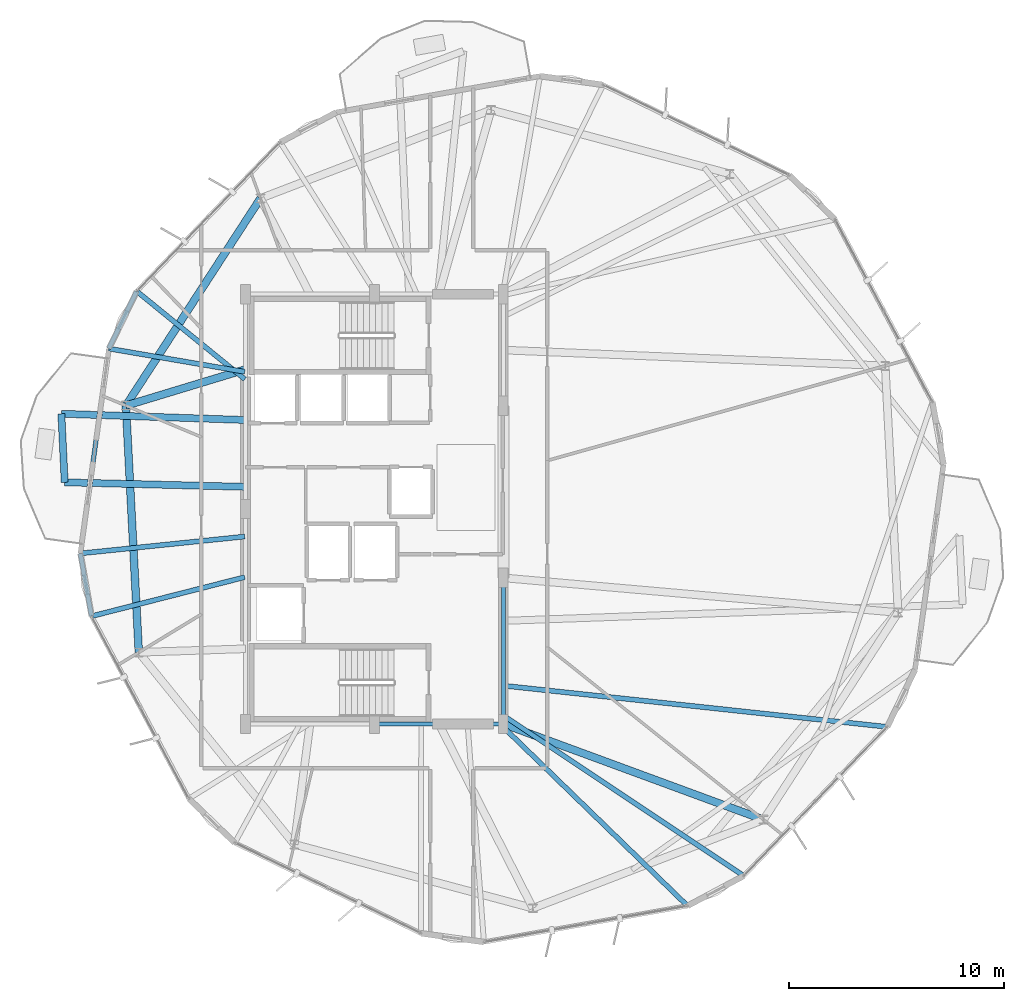
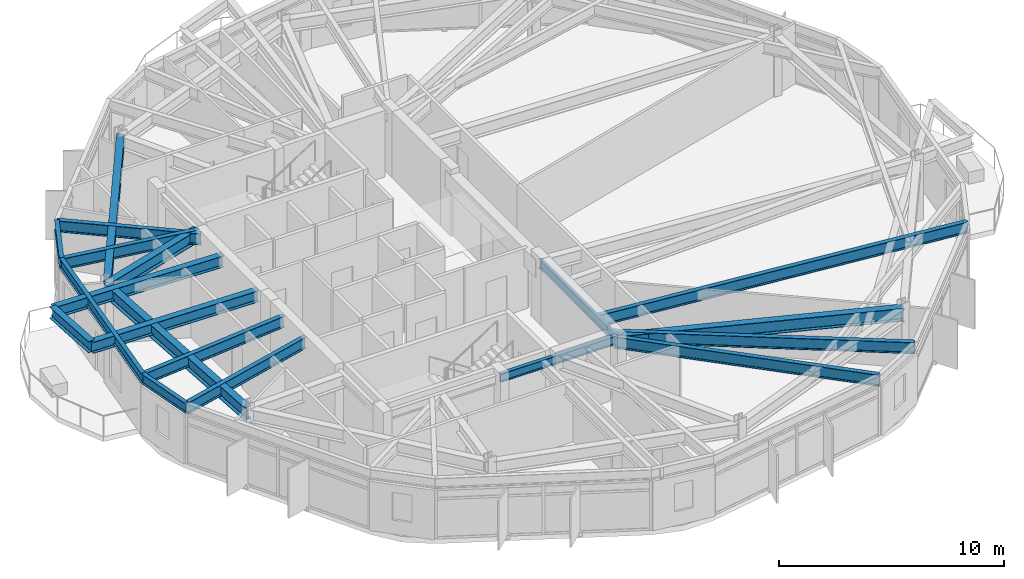
# One storey, part 8 of 28: 19 beams.
"""IFC4 building model written with IfcOpenShell, lengths in metres."""

from ifc_helpers import new_model, si_unit, direction, frame, origin, origin_2d, place, context, subcontext, project, spatial, i_section, extrude, material, material_profile, profile_set, type_object, element, save


model = new_model("IFC4")

# Units and contexts
model_context = context("Model", 3, precision=1e-05, world=origin(), true_north=direction((0.0, 1.0)))
body_context = subcontext(model_context, "Body", "Model", "MODEL_VIEW")
ifc_project = project(units=[si_unit("LENGTHUNIT", "METRE"), si_unit("AREAUNIT", "SQUARE_METRE"), si_unit("VOLUMEUNIT", "CUBIC_METRE"), si_unit("PLANEANGLEUNIT", "RADIAN"), si_unit("MASSUNIT", "GRAM", prefix="KILO")], contexts=[model_context])

# Site, building, storey
site_placement = place(None, origin())
site = spatial("IfcSite", under=ifc_project, at=site_placement, CompositionType="ELEMENT")
building_placement = place(site_placement, origin())
building = spatial("IfcBuilding", under=site, at=building_placement, Name="Soratama Intermodal Tower", CompositionType="ELEMENT")
storey_placement = place(building_placement, frame((0.0, 0.0, 205.0)))
storey = spatial("IfcBuildingStorey", under=building, at=storey_placement, Name="L51", CompositionType="ELEMENT", Elevation=205.0)

# Beams
ifc_material_1 = material(Name="Structural steel ASTM A992 Grade 50", Category="steel")
ifc_material_profile_1 = material_profile(ifc_material_1, i_section(OverallWidth=0.324951171875, OverallDepth=0.615966796875, WebThickness=0.013916015625, FlangeThickness=0.021484375, FilletRadius=0.013916015625, at=origin_2d()), Name="W24X117")
ifc_profile_set_1 = profile_set([ifc_material_profile_1], Name="Structural steel ASTM A992 Grade 50")
beam_type_1 = type_object("IfcBeamType", Name="BM-CANT-W24X117", PredefinedType="BEAM", material=ifc_profile_set_1)
beam_1_placement = place(storey_placement, frame((24.030029296875, 29.43505859375, 2.991943359375), z_axis=(0.049133455666, -0.998792222404, 0.0), x_axis=(0.998792222404, 0.049133455666, 0.0)))
element("IfcBeam", 1, at=beam_1_placement, inside=storey, type_object=beam_type_1, Name="BM-L51-CBHDR-3", PredefinedType="BEAM", context=body_context, shape_type="SweptSolid", body=[
    extrude(i_section(OverallWidth=0.324951171875, OverallDepth=0.615966796875, WebThickness=0.013916015625, FlangeThickness=0.021484375, FilletRadius=0.013916015625, at=origin_2d()), origin(), (0.0, 0.0, 1.0), 3.195068359375),
])
beam_2_placement = place(storey_placement, frame((32.56005859375, 29.14599609375, 2.991943359375), z_axis=(-0.999426308235, 0.033868191676, 0.0), x_axis=(-0.033868191676, -0.999426308235, 0.0)))
element("IfcBeam", 2, at=beam_2_placement, inside=storey, type_object=beam_type_1, Name="BM-L51-CANT-3-1", PredefinedType="BEAM", context=body_context, shape_type="SweptSolid", body=[
    extrude(i_section(OverallWidth=0.324951171875, OverallDepth=0.615966796875, WebThickness=0.013916015625, FlangeThickness=0.021484375, FilletRadius=0.013916015625, at=origin_2d()), origin(), (0.0, 0.0, 1.0), 8.534912109375),
])
beam_3_placement = place(storey_placement, frame((32.56005859375, 26.035888671875, 2.991943359375), z_axis=(-0.999691566679, 0.024834884966, 0.0), x_axis=(-0.024834884966, -0.999691566679, 0.0)))
element("IfcBeam", 3, at=beam_3_placement, inside=storey, type_object=beam_type_1, Name="BM-L51-CANT-3-2", PredefinedType="BEAM", context=body_context, shape_type="SweptSolid", body=[
    extrude(i_section(OverallWidth=0.324951171875, OverallDepth=0.615966796875, WebThickness=0.013916015625, FlangeThickness=0.021484375, FilletRadius=0.013916015625, at=origin_2d()), origin(), (0.0, 0.0, 1.0), 8.375732421875),
])
ifc_material_2 = material(Name="Structural steel ASTM A992 Grade 50", Category="steel")
ifc_material_profile_2 = material_profile(ifc_material_2, i_section(OverallWidth=0.19091796875, OverallDepth=0.4599609375, WebThickness=0.010009765625, FlangeThickness=0.01611328125, FilletRadius=0.010986328125, at=origin_2d()), Name="W18X55")
ifc_profile_set_2 = profile_set([ifc_material_profile_2], Name="Structural steel ASTM A992 Grade 50")
beam_type_2 = type_object("IfcBeamType", Name="BM-FLR-W18X55", PredefinedType="BEAM", material=ifc_profile_set_2)
beam_4_placement = place(storey_placement, frame((38.60009765625, 15.0, 3.070068359375), z_axis=(1.0, 0.0, 0.0), x_axis=(0.0, 1.0, 0.0)))
element("IfcBeam", 4, at=beam_4_placement, inside=storey, type_object=beam_type_2, Name="BM-L51-CRING-02", PredefinedType="BEAM", context=body_context, shape_type="SweptSolid", body=[
    extrude(i_section(OverallWidth=0.19091796875, OverallDepth=0.4599609375, WebThickness=0.010009765625, FlangeThickness=0.01611328125, FilletRadius=0.010986328125, at=origin_2d()), origin(), (0.0, 0.0, 1.0), 6.0),
])
beam_5_placement = place(storey_placement, frame((44.60009765625, 15.0, 3.070068359375), z_axis=(0.0, 1.0, 0.0), x_axis=(-1.0, 0.0, 0.0)))
element("IfcBeam", 5, at=beam_5_placement, inside=storey, type_object=beam_type_2, Name="BM-L51-CRING-03", PredefinedType="BEAM", context=body_context, shape_type="SweptSolid", body=[
    extrude(i_section(OverallWidth=0.19091796875, OverallDepth=0.4599609375, WebThickness=0.010009765625, FlangeThickness=0.01611328125, FilletRadius=0.010986328125, at=origin_2d()), origin(), (0.0, 0.0, 1.0), 6.800048828125),
])
ifc_material_3 = material(Name="Structural steel ASTM A992 Grade 50", Category="steel")
ifc_material_profile_3 = material_profile(ifc_material_3, i_section(OverallWidth=0.35498046875, OverallDepth=0.695068359375, WebThickness=0.015380859375, FlangeThickness=0.02490234375, FilletRadius=0.01611328125, at=origin_2d()), Name="W27X146")
ifc_profile_set_3 = profile_set([ifc_material_profile_3], Name="Structural steel ASTM A992 Grade 50")
beam_type_3 = type_object("IfcBeamType", Name="BM-RING-W27X146", PredefinedType="BEAM", material=ifc_profile_set_3)
for number, where, z_axis, x_axis, name in (
    (6, (33.294921875, 39.455078125, 2.952392578125), (-0.544637453764, -0.83867159482, 0.0), (0.83867159482, -0.544637453764, 0.0), "BM-L51-RING-04"),
    (7, (27.033935546875, 29.81396484375, 2.952392578125), (0.052286849724, -0.998632107108, 0.0), (0.998632107108, 0.052286849724, 0.0), "BM-L51-RING-05"),
):
    element("IfcBeam", number, at=place(storey_placement, frame(where, z_axis=z_axis, x_axis=x_axis)), inside=storey, type_object=beam_type_3, Name=name, PredefinedType="BEAM", context=body_context, shape_type="SweptSolid", body=[
        extrude(i_section(OverallWidth=0.35498046875, OverallDepth=0.695068359375, WebThickness=0.015380859375, FlangeThickness=0.02490234375, FilletRadius=0.01611328125, at=origin_2d()), origin(), (0.0, 0.0, 1.0), 11.49560546875),
    ])
beam_6_placement = place(storey_placement, frame((32.60009765625, 31.5, 2.952392578125), z_axis=(-0.957056879321, -0.289900206526, 0.0), x_axis=(0.289900206526, -0.957056879321, 0.0)))
element("IfcBeam", 8, at=beam_6_placement, inside=storey, type_object=beam_type_3, Name="BM-L51-RAD-05", PredefinedType="BEAM", context=body_context, shape_type="SweptSolid", body=[
    extrude(i_section(OverallWidth=0.35498046875, OverallDepth=0.695068359375, WebThickness=0.015380859375, FlangeThickness=0.02490234375, FilletRadius=0.01611328125, at=origin_2d()), origin(), (0.0, 0.0, 1.0), 5.81591796875),
])
beam_7_placement = place(storey_placement, frame((44.60009765625, 15.0, 2.952392578125), z_axis=(0.938460043872, -0.345387819785, 0.0), x_axis=(0.345387819785, 0.938460043872, 0.0)))
element("IfcBeam", 9, at=beam_7_placement, inside=storey, type_object=beam_type_3, Name="BM-L51-RAD-09", PredefinedType="BEAM", context=body_context, shape_type="SweptSolid", body=[
    extrude(i_section(OverallWidth=0.35498046875, OverallDepth=0.695068359375, WebThickness=0.015380859375, FlangeThickness=0.02490234375, FilletRadius=0.01611328125, at=origin_2d()), origin(), (0.0, 0.0, 1.0), 12.898681640625),
])
ifc_material_4 = material(Name="Structural steel ASTM A992 Grade 50", Category="steel")
ifc_material_profile_4 = material_profile(ifc_material_4, i_section(OverallWidth=0.2099609375, OverallDepth=0.537109375, WebThickness=0.010986328125, FlangeThickness=0.017333984375, FilletRadius=0.012939453125, at=origin_2d()), Name="W21X68")
ifc_profile_set_4 = profile_set([ifc_material_profile_4], Name="Structural steel ASTM A992 Grade 50")
beam_type_4 = type_object("IfcBeamType", Name="BM-SPN-W21X68", PredefinedType="SPANDREL", material=ifc_profile_set_4)
beam_8_placement = place(storey_placement, frame((27.537109375, 35.135986328125, 3.031494140625), z_axis=(-0.437244480512, -0.899342684554, 0.0), x_axis=(0.899342684554, -0.437244480512, 0.0)))
element("IfcBeam", 10, at=beam_8_placement, inside=storey, type_object=beam_type_4, Name="BS-L51-CRN03", PredefinedType="SPANDREL", context=body_context, shape_type="SweptSolid", body=[
    extrude(i_section(OverallWidth=0.2099609375, OverallDepth=0.537109375, WebThickness=0.010986328125, FlangeThickness=0.017333984375, FilletRadius=0.012939453125, at=origin_2d()), origin(), (0.0, 0.0, 1.0), 2.966552734375),
])
beam_9_placement = place(storey_placement, frame((26.239990234375, 32.468017578125, 3.031494140625), z_axis=(-0.137776463125, -0.990463349251, 0.0), x_axis=(0.990463349251, -0.137776463125, 0.0)))
element("IfcBeam", 11, at=beam_9_placement, inside=storey, type_object=beam_type_4, Name="BS-L51-F04", PredefinedType="SPANDREL", context=body_context, shape_type="SweptSolid", body=[
    extrude(i_section(OverallWidth=0.2099609375, OverallDepth=0.537109375, WebThickness=0.010986328125, FlangeThickness=0.017333984375, FilletRadius=0.012939453125, at=origin_2d()), origin(), (0.0, 0.0, 1.0), 9.623779296875),
])
beam_10_placement = place(storey_placement, frame((24.9140625, 22.93603515625, 3.031494140625), z_axis=(0.174944703831, -0.984578260273, 0.0), x_axis=(0.984578260273, 0.174944703831, 0.0)))
element("IfcBeam", 12, at=beam_10_placement, inside=storey, type_object=beam_type_4, Name="BS-L51-CRN04", PredefinedType="SPANDREL", context=body_context, shape_type="SweptSolid", body=[
    extrude(i_section(OverallWidth=0.2099609375, OverallDepth=0.537109375, WebThickness=0.010986328125, FlangeThickness=0.017333984375, FilletRadius=0.012939453125, at=origin_2d()), origin(), (0.0, 0.0, 1.0), 2.966796875),
])
ifc_material_5 = material(Name="Structural steel ASTM A992 Grade 50", Category="steel")
ifc_material_profile_5 = material_profile(ifc_material_5, i_section(OverallWidth=0.22900390625, OverallDepth=0.612060546875, WebThickness=0.011962890625, FlangeThickness=0.01953125, FilletRadius=0.012939453125, at=origin_2d()), Name="W24X84")
ifc_profile_set_5 = profile_set([ifc_material_profile_5], Name="Structural steel ASTM A992 Grade 50")
beam_type_5 = type_object("IfcBeamType", Name="BM-TIE-W24X84", PredefinedType="BEAM", material=ifc_profile_set_5)
beam_11_placement = place(storey_placement, frame((32.569091796875, 31.0419921875, 2.993896484375), z_axis=(-0.775698250871, 0.631103972096, 0.0), x_axis=(-0.631103972096, -0.775698250871, 0.0)))
element("IfcBeam", 13, at=beam_11_placement, inside=storey, type_object=beam_type_5, Name="BM-L51-TIE1-03", PredefinedType="BEAM", context=body_context, shape_type="SweptSolid", body=[
    extrude(i_section(OverallWidth=0.22900390625, OverallDepth=0.612060546875, WebThickness=0.011962890625, FlangeThickness=0.01953125, FilletRadius=0.012939453125, at=origin_2d()), origin(), (0.0, 0.0, 1.0), 6.487060546875),
])
beam_12_placement = place(storey_placement, frame((32.56103515625, 31.386962890625, 2.993896484375), z_axis=(-0.985688478108, 0.168577056933, 0.0), x_axis=(-0.168577056933, -0.985688478108, 0.0)))
element("IfcBeam", 14, at=beam_12_placement, inside=storey, type_object=beam_type_5, Name="BM-L51-TIE0-04", PredefinedType="BEAM", context=body_context, shape_type="SweptSolid", body=[
    extrude(i_section(OverallWidth=0.22900390625, OverallDepth=0.612060546875, WebThickness=0.011962890625, FlangeThickness=0.01953125, FilletRadius=0.012939453125, at=origin_2d()), origin(), (0.0, 0.0, 1.0), 6.412841796875),
])
beam_13_placement = place(storey_placement, frame((32.56005859375, 23.721923828125, 2.993896484375), z_axis=(-0.994759178695, -0.102245666908, 0.0), x_axis=(0.102245666908, -0.994759178695, 0.0)))
element("IfcBeam", 15, at=beam_13_placement, inside=storey, type_object=beam_type_5, Name="BM-L51-TIE1-04", PredefinedType="BEAM", context=body_context, shape_type="SweptSolid", body=[
    extrude(i_section(OverallWidth=0.22900390625, OverallDepth=0.612060546875, WebThickness=0.011962890625, FlangeThickness=0.01953125, FilletRadius=0.012939453125, at=origin_2d()), origin(), (0.0, 0.0, 1.0), 7.686279296875),
])
beam_14_placement = place(storey_placement, frame((32.56103515625, 21.8310546875, 2.993896484375), z_axis=(-0.96903929776, -0.246906539801, 0.0), x_axis=(0.246906539801, -0.96903929776, 0.0)))
element("IfcBeam", 16, at=beam_14_placement, inside=storey, type_object=beam_type_5, Name="BM-L51-TIE0-05", PredefinedType="BEAM", context=body_context, shape_type="SweptSolid", body=[
    extrude(i_section(OverallWidth=0.22900390625, OverallDepth=0.612060546875, WebThickness=0.011962890625, FlangeThickness=0.01953125, FilletRadius=0.012939453125, at=origin_2d()), origin(), (0.0, 0.0, 1.0), 7.355712890625),
])
beam_15_placement = place(storey_placement, frame((44.47412109375, 14.971923828125, 2.993896484375), z_axis=(0.717705673419, -0.696346584929, 0.0), x_axis=(0.696346584929, 0.717705673419, 0.0)))
element("IfcBeam", 17, at=beam_15_placement, inside=storey, type_object=beam_type_5, Name="BM-L51-TIE1-07", PredefinedType="BEAM", context=body_context, shape_type="SweptSolid", body=[
    extrude(i_section(OverallWidth=0.22900390625, OverallDepth=0.612060546875, WebThickness=0.011962890625, FlangeThickness=0.01953125, FilletRadius=0.012939453125, at=origin_2d()), origin(), (0.0, 0.0, 1.0), 12.1162109375),
])
beam_16_placement = place(storey_placement, frame((44.633056640625, 15.3720703125, 2.993896484375), z_axis=(0.831873773654, -0.554964886012, 0.0), x_axis=(0.554964886012, 0.831873773654, 0.0)))
element("IfcBeam", 18, at=beam_16_placement, inside=storey, type_object=beam_type_5, Name="BM-L51-TIE0-08", PredefinedType="BEAM", context=body_context, shape_type="SweptSolid", body=[
    extrude(i_section(OverallWidth=0.22900390625, OverallDepth=0.612060546875, WebThickness=0.011962890625, FlangeThickness=0.01953125, FilletRadius=0.012939453125, at=origin_2d()), origin(), (0.0, 0.0, 1.0), 13.408447265625),
])
beam_17_placement = place(storey_placement, frame((44.639892578125, 16.779052734375, 2.993896484375), z_axis=(0.994277008948, -0.106832717261, 0.0), x_axis=(0.106832717261, 0.994277008948, 0.0)))
element("IfcBeam", 19, at=beam_17_placement, inside=storey, type_object=beam_type_5, Name="BM-L51-TIE1-08", PredefinedType="BEAM", context=body_context, shape_type="SweptSolid", body=[
    extrude(i_section(OverallWidth=0.22900390625, OverallDepth=0.612060546875, WebThickness=0.011962890625, FlangeThickness=0.01953125, FilletRadius=0.012939453125, at=origin_2d()), origin(), (0.0, 0.0, 1.0), 17.925537109375),
])

save(model, "model.ifc")
